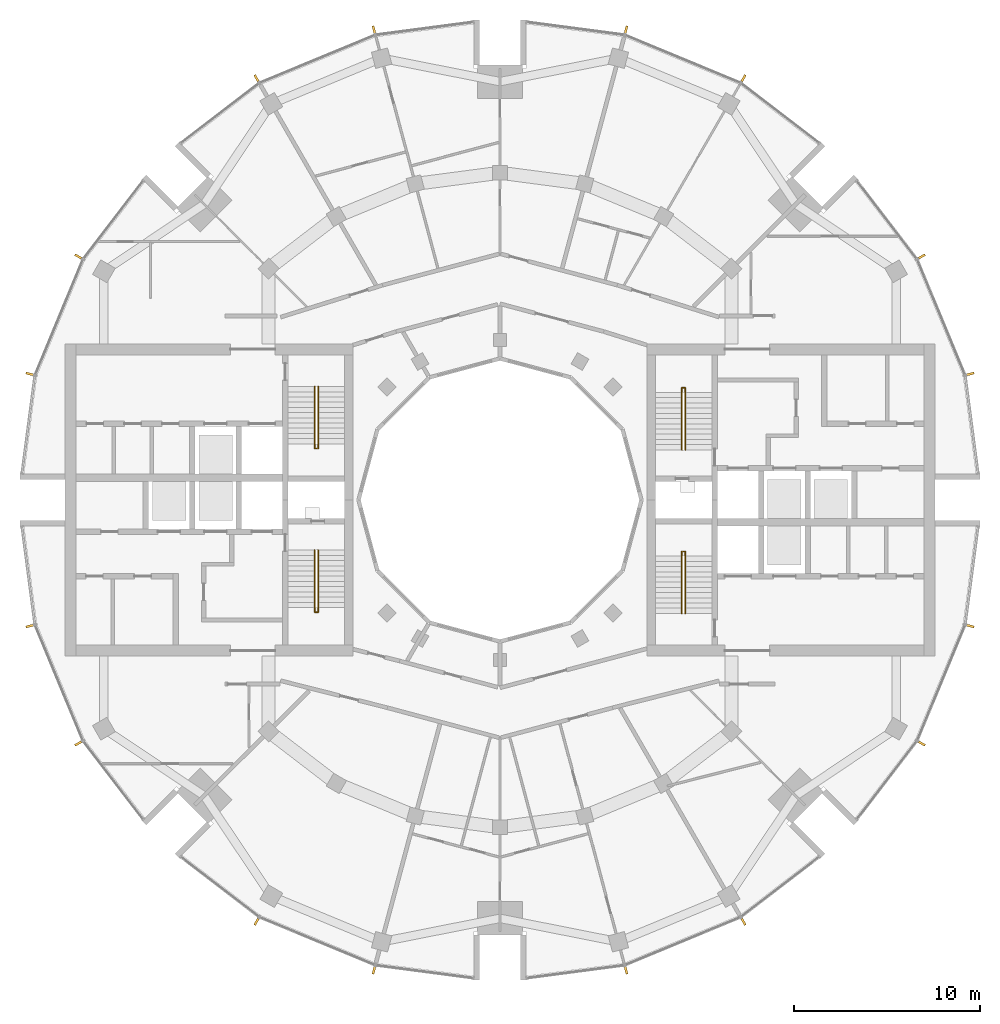
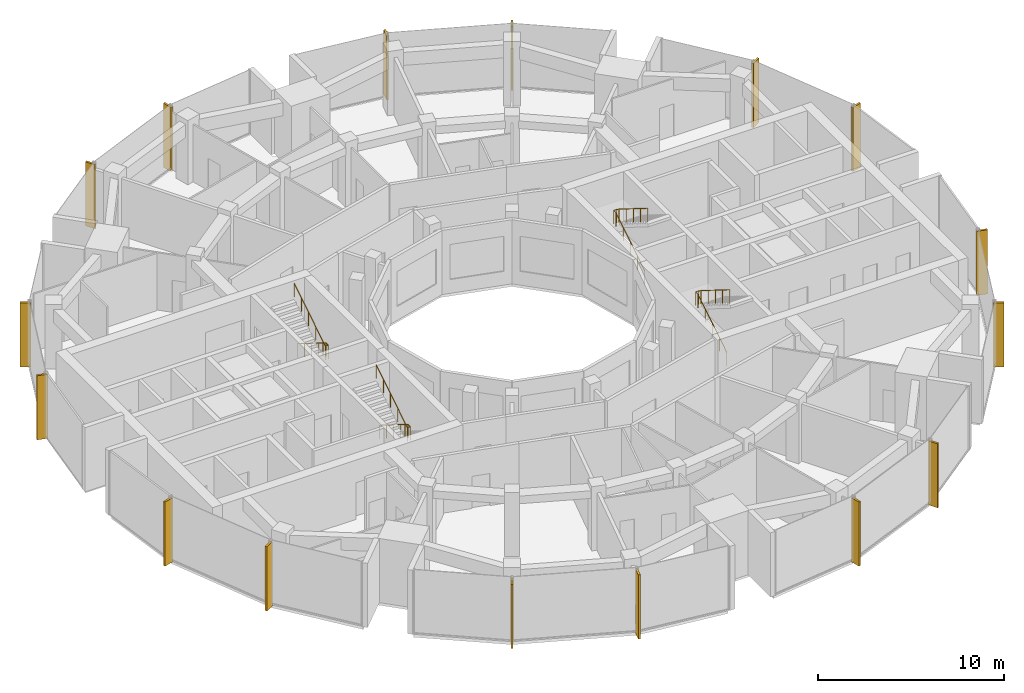
# One storey, part 14 of 15: 16 shading devices, 4 railings.
"""IFC4 building model written with IfcOpenShell, lengths in metres."""

from ifc_helpers import new_model, si_unit, direction, frame, origin, origin_2d, place, context, subcontext, project, spatial, rectangle, circle, extrude, material, material_profile, profile_set, type_object, element, save


model = new_model("IFC4")

# Units and contexts
model_context = context("Model", 3, precision=1e-05, world=origin(), true_north=direction((0.0, 1.0)))
body_context = subcontext(model_context, "Body", "Model", "MODEL_VIEW")
ifc_project = project(units=[si_unit("LENGTHUNIT", "METRE"), si_unit("AREAUNIT", "SQUARE_METRE"), si_unit("VOLUMEUNIT", "CUBIC_METRE"), si_unit("PLANEANGLEUNIT", "RADIAN"), si_unit("MASSUNIT", "GRAM", prefix="KILO")], contexts=[model_context])

# Site, building, storey
site_placement = place(None, origin())
site = spatial("IfcSite", under=ifc_project, at=site_placement, CompositionType="ELEMENT")
building_placement = place(site_placement, origin())
building = spatial("IfcBuilding", under=site, at=building_placement, Name="Torre Brocal", CompositionType="ELEMENT")
storey_placement = place(building_placement, frame((0.0, 0.0, 262.5)))
storey = spatial("IfcBuildingStorey", under=building, at=storey_placement, Name="L60", CompositionType="ELEMENT", Elevation=262.5)

# Shading devices
ifc_material_1 = material(Name="Aluminium, black anodised", Category="aluminium")
ifc_material_profile = material_profile(ifc_material_1, rectangle(XDim=0.1201171875, YDim=0.60009765625, at=origin_2d()), Name="FIN 120X600 4200 HIGH")
ifc_profile_set = profile_set([ifc_material_profile], Name="Aluminium, black anodised")
shading_device_type = type_object("IfcShadingDeviceType", Name="FIN 120X600 4200 HIGH", PredefinedType="USERDEFINED", material=ifc_profile_set)
for number, where, z_axis, x_axis, name in (
    (1, (105.208984375, 81.754638671875, -0.14990234375), (0.0, 0.0, 1.0), (-0.258819045103, 0.965925826289, 0.0), "FIN"),
    (2, (102.601806640625, 88.049072265625, -0.14990234375), (0.0, 0.0, 1.0), (-0.5, 0.866025403784, 0.0), "FIN"),
    (3, (93.049072265625, 97.601806640625, -0.14990234375), (0.0, 0.0, 1.0), (-0.866025403784, 0.5, 0.0), "FIN"),
    (4, (86.754638671875, 100.208984375, -0.14990234375), (0.0, 0.0, 1.0), (-0.965925826289, 0.258819045103, 0.0), "FIN"),
    (5, (73.245361328125, 100.208984375, -0.14990234375), (0.0, 0.0, 1.0), (-0.965925826289, -0.258819045103, 0.0), "FIN"),
    (6, (66.950927734375, 97.601806640625, -0.14990234375), (0.0, 0.0, 1.0), (-0.866025403784, -0.5, 0.0), "FIN"),
    (7, (57.398193359375, 88.049072265625, -0.14990234375), (0.0, 0.0, 1.0), (-0.5, -0.866025403784, 0.0), "FIN"),
    (8, (54.791015625, 81.754638671875, -0.14990234375), (0.0, 0.0, 1.0), (-0.258819045103, -0.965925826289, 0.0), "FIN"),
    (9, (54.791015625, 68.245361328125, -0.14990234375), (0.0, 0.0, 1.0), (0.258819045103, -0.965925826289, 0.0), "FIN"),
    (10, (57.398193359375, 61.950927734375, -0.14990234375), (0.0, 0.0, 1.0), (0.5, -0.866025403784, 0.0), "FIN"),
    (11, (66.950927734375, 52.398193359375, -0.14990234375), (0.0, 0.0, 1.0), (0.866025403784, -0.5, 0.0), "FIN"),
    (12, (73.245361328125, 49.791015625, -0.14990234375), (0.0, 0.0, 1.0), (0.965925826289, -0.258819045103, 0.0), "FIN"),
    (13, (86.754638671875, 49.791015625, -0.14990234375), (0.0, 0.0, 1.0), (0.965925826289, 0.258819045103, 0.0), "FIN"),
    (14, (93.049072265625, 52.398193359375, -0.14990234375), (0.0, 0.0, 1.0), (0.866025403784, 0.5, 0.0), "FIN"),
    (15, (102.601806640625, 61.950927734375, -0.14990234375), (0.0, 0.0, 1.0), (0.5, 0.866025403784, 0.0), "FIN"),
    (16, (105.208984375, 68.245361328125, -0.14990234375), (0.0, 0.0, 1.0), (0.258819045103, 0.965925826289, 0.0), "FIN"),
):
    element("IfcShadingDevice", number, at=place(storey_placement, frame(where, z_axis=z_axis, x_axis=x_axis)), inside=storey, type_object=shading_device_type, Name=name, ObjectType="FIN", PredefinedType="USERDEFINED", context=body_context, shape_type="SweptSolid", body=[
        extrude(rectangle(XDim=0.1201171875, YDim=0.60009765625, at=origin_2d()), origin(), (0.0, 0.0, 1.0), 4.199951171875),
    ])

# Railings
ifc_material_2 = material(Name="Stainless steel AISI 316", Category="steel")
railing_type = type_object("IfcRailingType", Name="STAIR HANDRAIL", PredefinedType="HANDRAIL", material=ifc_material_2)
railing_1_placement = place(storey_placement, frame((89.780029296875, 77.699951171875, 0.175048828125)))
element("IfcRailing", 17, at=railing_1_placement, inside=storey, type_object=railing_type, Name="HANDRAIL ST1", PredefinedType="HANDRAIL", context=body_context, shape_type="SweptSolid", body=[
    extrude(circle(Radius=0.02392578125, at=origin_2d()), frame((0.0, 0.0, 0.8759765625), z_axis=(0.0, 0.847998304005, 0.529998940003), x_axis=(-1.0, 0.0, 0.0)), (0.0, 0.0, 1.0), 3.632080078125),
    extrude(circle(Radius=0.02392578125, at=origin_2d()), frame((0.0, 3.080078125, 2.80078125), z_axis=(0.0, 1.0, 0.0), x_axis=(-1.0, 0.0, 0.0)), (0.0, 0.0, 1.0), 0.25),
    extrude(circle(Radius=0.02392578125, at=origin_2d()), frame((0.0, 3.330078125, 2.80078125), z_axis=(1.0, 0.0, 0.0), x_axis=(0.0, 1.0, 0.0)), (0.0, 0.0, 1.0), 0.18994140625),
    extrude(circle(Radius=0.02392578125, at=origin_2d()), frame((0.18994140625, 3.330078125, 2.80078125), z_axis=(0.0, -0.81953260104, 0.573032560883), x_axis=(1.0, 0.0, 0.0)), (0.0, 0.0, 1.0), 0.304931640625),
    extrude(circle(Radius=0.02392578125, at=origin_2d()), frame((0.18994140625, 3.080078125, 2.9755859375), z_axis=(0.0, -0.847998304005, 0.529998940003), x_axis=(1.0, 0.0, 0.0)), (0.0, 0.0, 1.0), 3.632080078125),
    extrude(circle(Radius=0.02099609375, at=origin_2d()), origin(), (0.0, 0.0, 1.0), 0.851806640625),
    extrude(circle(Radius=0.02099609375, at=origin_2d()), frame((0.0, 0.77001953125, 0.481201171875)), (0.0, 0.0, 1.0), 0.851806640625),
    extrude(circle(Radius=0.02099609375, at=origin_2d()), frame((0.0, 1.5400390625, 0.96240234375)), (0.0, 0.0, 1.0), 0.851806640625),
    extrude(circle(Radius=0.02099609375, at=origin_2d()), frame((0.0, 2.31005859375, 1.44384765625)), (0.0, 0.0, 1.0), 0.851806640625),
    extrude(circle(Radius=0.02099609375, at=origin_2d()), frame((0.0, 3.080078125, 1.925048828125)), (0.0, 0.0, 1.0), 0.851806640625),
    extrude(circle(Radius=0.02099609375, at=origin_2d()), frame((0.0, 3.330078125, 1.925048828125)), (0.0, 0.0, 1.0), 0.851806640625),
    extrude(circle(Radius=0.02099609375, at=origin_2d()), frame((0.18994140625, 3.330078125, 1.925048828125)), (0.0, 0.0, 1.0), 0.851806640625),
    extrude(circle(Radius=0.02099609375, at=origin_2d()), frame((0.18994140625, 3.080078125, 2.099853515625)), (0.0, 0.0, 1.0), 0.851806640625),
    extrude(circle(Radius=0.02099609375, at=origin_2d()), frame((0.18994140625, 2.31005859375, 2.5810546875)), (0.0, 0.0, 1.0), 0.851806640625),
    extrude(circle(Radius=0.02099609375, at=origin_2d()), frame((0.18994140625, 1.5400390625, 3.0625)), (0.0, 0.0, 1.0), 0.851806640625),
    extrude(circle(Radius=0.02099609375, at=origin_2d()), frame((0.18994140625, 0.77001953125, 3.543701171875)), (0.0, 0.0, 1.0), 0.851806640625),
    extrude(circle(Radius=0.02099609375, at=origin_2d()), frame((0.18994140625, 0.0, 4.02490234375)), (0.0, 0.0, 1.0), 0.851806640625),
])
railing_2_placement = place(storey_placement, frame((89.780029296875, 68.89990234375, 0.175048828125)))
element("IfcRailing", 18, at=railing_2_placement, inside=storey, type_object=railing_type, Name="HANDRAIL ST2", PredefinedType="HANDRAIL", context=body_context, shape_type="SweptSolid", body=[
    extrude(circle(Radius=0.02392578125, at=origin_2d()), frame((0.0, 0.0, 0.8759765625), z_axis=(0.0, 0.847998304005, 0.529998940003), x_axis=(-1.0, 0.0, 0.0)), (0.0, 0.0, 1.0), 3.632080078125),
    extrude(circle(Radius=0.02392578125, at=origin_2d()), frame((0.0, 3.080078125, 2.80078125), z_axis=(0.0, 1.0, 0.0), x_axis=(-1.0, 0.0, 0.0)), (0.0, 0.0, 1.0), 0.25),
    extrude(circle(Radius=0.02392578125, at=origin_2d()), frame((0.0, 3.330078125, 2.80078125), z_axis=(1.0, 0.0, 0.0), x_axis=(0.0, 1.0, 0.0)), (0.0, 0.0, 1.0), 0.18994140625),
    extrude(circle(Radius=0.02392578125, at=origin_2d()), frame((0.18994140625, 3.330078125, 2.80078125), z_axis=(0.0, -0.81953260104, 0.573032560883), x_axis=(1.0, 0.0, 0.0)), (0.0, 0.0, 1.0), 0.304931640625),
    extrude(circle(Radius=0.02392578125, at=origin_2d()), frame((0.18994140625, 3.080078125, 2.9755859375), z_axis=(0.0, -0.847998304005, 0.529998940003), x_axis=(1.0, 0.0, 0.0)), (0.0, 0.0, 1.0), 3.632080078125),
    extrude(circle(Radius=0.02099609375, at=origin_2d()), origin(), (0.0, 0.0, 1.0), 0.851806640625),
    extrude(circle(Radius=0.02099609375, at=origin_2d()), frame((0.0, 0.77001953125, 0.481201171875)), (0.0, 0.0, 1.0), 0.851806640625),
    extrude(circle(Radius=0.02099609375, at=origin_2d()), frame((0.0, 1.5400390625, 0.96240234375)), (0.0, 0.0, 1.0), 0.851806640625),
    extrude(circle(Radius=0.02099609375, at=origin_2d()), frame((0.0, 2.31005859375, 1.44384765625)), (0.0, 0.0, 1.0), 0.851806640625),
    extrude(circle(Radius=0.02099609375, at=origin_2d()), frame((0.0, 3.080078125, 1.925048828125)), (0.0, 0.0, 1.0), 0.851806640625),
    extrude(circle(Radius=0.02099609375, at=origin_2d()), frame((0.0, 3.330078125, 1.925048828125)), (0.0, 0.0, 1.0), 0.851806640625),
    extrude(circle(Radius=0.02099609375, at=origin_2d()), frame((0.18994140625, 3.330078125, 1.925048828125)), (0.0, 0.0, 1.0), 0.851806640625),
    extrude(circle(Radius=0.02099609375, at=origin_2d()), frame((0.18994140625, 3.080078125, 2.099853515625)), (0.0, 0.0, 1.0), 0.851806640625),
    extrude(circle(Radius=0.02099609375, at=origin_2d()), frame((0.18994140625, 2.31005859375, 2.5810546875)), (0.0, 0.0, 1.0), 0.851806640625),
    extrude(circle(Radius=0.02099609375, at=origin_2d()), frame((0.18994140625, 1.5400390625, 3.0625)), (0.0, 0.0, 1.0), 0.851806640625),
    extrude(circle(Radius=0.02099609375, at=origin_2d()), frame((0.18994140625, 0.77001953125, 3.543701171875)), (0.0, 0.0, 1.0), 0.851806640625),
    extrude(circle(Radius=0.02099609375, at=origin_2d()), frame((0.18994140625, 0.0, 4.02490234375)), (0.0, 0.0, 1.0), 0.851806640625),
])
railing_3_placement = place(storey_placement, frame((70.219970703125, 72.300048828125, 0.175048828125)))
element("IfcRailing", 19, at=railing_3_placement, inside=storey, type_object=railing_type, Name="HANDRAIL ST3", PredefinedType="HANDRAIL", context=body_context, shape_type="SweptSolid", body=[
    extrude(circle(Radius=0.02392578125, at=origin_2d()), frame((0.0, 0.0, 0.8759765625), z_axis=(0.0, -0.847998304005, 0.529998940003), x_axis=(1.0, 0.0, 0.0)), (0.0, 0.0, 1.0), 3.632080078125),
    extrude(circle(Radius=0.02392578125, at=origin_2d()), frame((0.0, -3.080078125, 2.80078125), z_axis=(0.0, -1.0, 0.0), x_axis=(1.0, 0.0, 0.0)), (0.0, 0.0, 1.0), 0.25),
    extrude(circle(Radius=0.02392578125, at=origin_2d()), frame((0.0, -3.330078125, 2.80078125), z_axis=(-1.0, 0.0, 0.0), x_axis=(0.0, -1.0, 0.0)), (0.0, 0.0, 1.0), 0.18994140625),
    extrude(circle(Radius=0.02392578125, at=origin_2d()), frame((-0.18994140625, -3.330078125, 2.80078125), z_axis=(0.0, 0.81953260104, 0.573032560883), x_axis=(-1.0, 0.0, 0.0)), (0.0, 0.0, 1.0), 0.304931640625),
    extrude(circle(Radius=0.02392578125, at=origin_2d()), frame((-0.18994140625, -3.080078125, 2.9755859375), z_axis=(0.0, 0.847998304005, 0.529998940003), x_axis=(-1.0, 0.0, 0.0)), (0.0, 0.0, 1.0), 3.632080078125),
    extrude(circle(Radius=0.02099609375, at=origin_2d()), origin(), (0.0, 0.0, 1.0), 0.851806640625),
    extrude(circle(Radius=0.02099609375, at=origin_2d()), frame((0.0, -0.77001953125, 0.481201171875)), (0.0, 0.0, 1.0), 0.851806640625),
    extrude(circle(Radius=0.02099609375, at=origin_2d()), frame((0.0, -1.5400390625, 0.96240234375)), (0.0, 0.0, 1.0), 0.851806640625),
    extrude(circle(Radius=0.02099609375, at=origin_2d()), frame((0.0, -2.31005859375, 1.44384765625)), (0.0, 0.0, 1.0), 0.851806640625),
    extrude(circle(Radius=0.02099609375, at=origin_2d()), frame((0.0, -3.080078125, 1.925048828125)), (0.0, 0.0, 1.0), 0.851806640625),
    extrude(circle(Radius=0.02099609375, at=origin_2d()), frame((0.0, -3.330078125, 1.925048828125)), (0.0, 0.0, 1.0), 0.851806640625),
    extrude(circle(Radius=0.02099609375, at=origin_2d()), frame((-0.18994140625, -3.330078125, 1.925048828125)), (0.0, 0.0, 1.0), 0.851806640625),
    extrude(circle(Radius=0.02099609375, at=origin_2d()), frame((-0.18994140625, -3.080078125, 2.099853515625)), (0.0, 0.0, 1.0), 0.851806640625),
    extrude(circle(Radius=0.02099609375, at=origin_2d()), frame((-0.18994140625, -2.31005859375, 2.5810546875)), (0.0, 0.0, 1.0), 0.851806640625),
    extrude(circle(Radius=0.02099609375, at=origin_2d()), frame((-0.18994140625, -1.5400390625, 3.0625)), (0.0, 0.0, 1.0), 0.851806640625),
    extrude(circle(Radius=0.02099609375, at=origin_2d()), frame((-0.18994140625, -0.77001953125, 3.543701171875)), (0.0, 0.0, 1.0), 0.851806640625),
    extrude(circle(Radius=0.02099609375, at=origin_2d()), frame((-0.18994140625, 0.0, 4.02490234375)), (0.0, 0.0, 1.0), 0.851806640625),
])
railing_4_placement = place(storey_placement, frame((70.219970703125, 81.10009765625, 0.175048828125)))
element("IfcRailing", 20, at=railing_4_placement, inside=storey, type_object=railing_type, Name="HANDRAIL ST4", PredefinedType="HANDRAIL", context=body_context, shape_type="SweptSolid", body=[
    extrude(circle(Radius=0.02392578125, at=origin_2d()), frame((0.0, 0.0, 0.8759765625), z_axis=(0.0, -0.847998304005, 0.529998940003), x_axis=(1.0, 0.0, 0.0)), (0.0, 0.0, 1.0), 3.632080078125),
    extrude(circle(Radius=0.02392578125, at=origin_2d()), frame((0.0, -3.080078125, 2.80078125), z_axis=(0.0, -1.0, 0.0), x_axis=(1.0, 0.0, 0.0)), (0.0, 0.0, 1.0), 0.25),
    extrude(circle(Radius=0.02392578125, at=origin_2d()), frame((0.0, -3.330078125, 2.80078125), z_axis=(-1.0, 0.0, 0.0), x_axis=(0.0, -1.0, 0.0)), (0.0, 0.0, 1.0), 0.18994140625),
    extrude(circle(Radius=0.02392578125, at=origin_2d()), frame((-0.18994140625, -3.330078125, 2.80078125), z_axis=(0.0, 0.81953260104, 0.573032560883), x_axis=(-1.0, 0.0, 0.0)), (0.0, 0.0, 1.0), 0.304931640625),
    extrude(circle(Radius=0.02392578125, at=origin_2d()), frame((-0.18994140625, -3.080078125, 2.9755859375), z_axis=(0.0, 0.847998304005, 0.529998940003), x_axis=(-1.0, 0.0, 0.0)), (0.0, 0.0, 1.0), 3.632080078125),
    extrude(circle(Radius=0.02099609375, at=origin_2d()), origin(), (0.0, 0.0, 1.0), 0.851806640625),
    extrude(circle(Radius=0.02099609375, at=origin_2d()), frame((0.0, -0.77001953125, 0.481201171875)), (0.0, 0.0, 1.0), 0.851806640625),
    extrude(circle(Radius=0.02099609375, at=origin_2d()), frame((0.0, -1.5400390625, 0.96240234375)), (0.0, 0.0, 1.0), 0.851806640625),
    extrude(circle(Radius=0.02099609375, at=origin_2d()), frame((0.0, -2.31005859375, 1.44384765625)), (0.0, 0.0, 1.0), 0.851806640625),
    extrude(circle(Radius=0.02099609375, at=origin_2d()), frame((0.0, -3.080078125, 1.925048828125)), (0.0, 0.0, 1.0), 0.851806640625),
    extrude(circle(Radius=0.02099609375, at=origin_2d()), frame((0.0, -3.330078125, 1.925048828125)), (0.0, 0.0, 1.0), 0.851806640625),
    extrude(circle(Radius=0.02099609375, at=origin_2d()), frame((-0.18994140625, -3.330078125, 1.925048828125)), (0.0, 0.0, 1.0), 0.851806640625),
    extrude(circle(Radius=0.02099609375, at=origin_2d()), frame((-0.18994140625, -3.080078125, 2.099853515625)), (0.0, 0.0, 1.0), 0.851806640625),
    extrude(circle(Radius=0.02099609375, at=origin_2d()), frame((-0.18994140625, -2.31005859375, 2.5810546875)), (0.0, 0.0, 1.0), 0.851806640625),
    extrude(circle(Radius=0.02099609375, at=origin_2d()), frame((-0.18994140625, -1.5400390625, 3.0625)), (0.0, 0.0, 1.0), 0.851806640625),
    extrude(circle(Radius=0.02099609375, at=origin_2d()), frame((-0.18994140625, -0.77001953125, 3.543701171875)), (0.0, 0.0, 1.0), 0.851806640625),
    extrude(circle(Radius=0.02099609375, at=origin_2d()), frame((-0.18994140625, 0.0, 4.02490234375)), (0.0, 0.0, 1.0), 0.851806640625),
])

save(model, "model.ifc")
